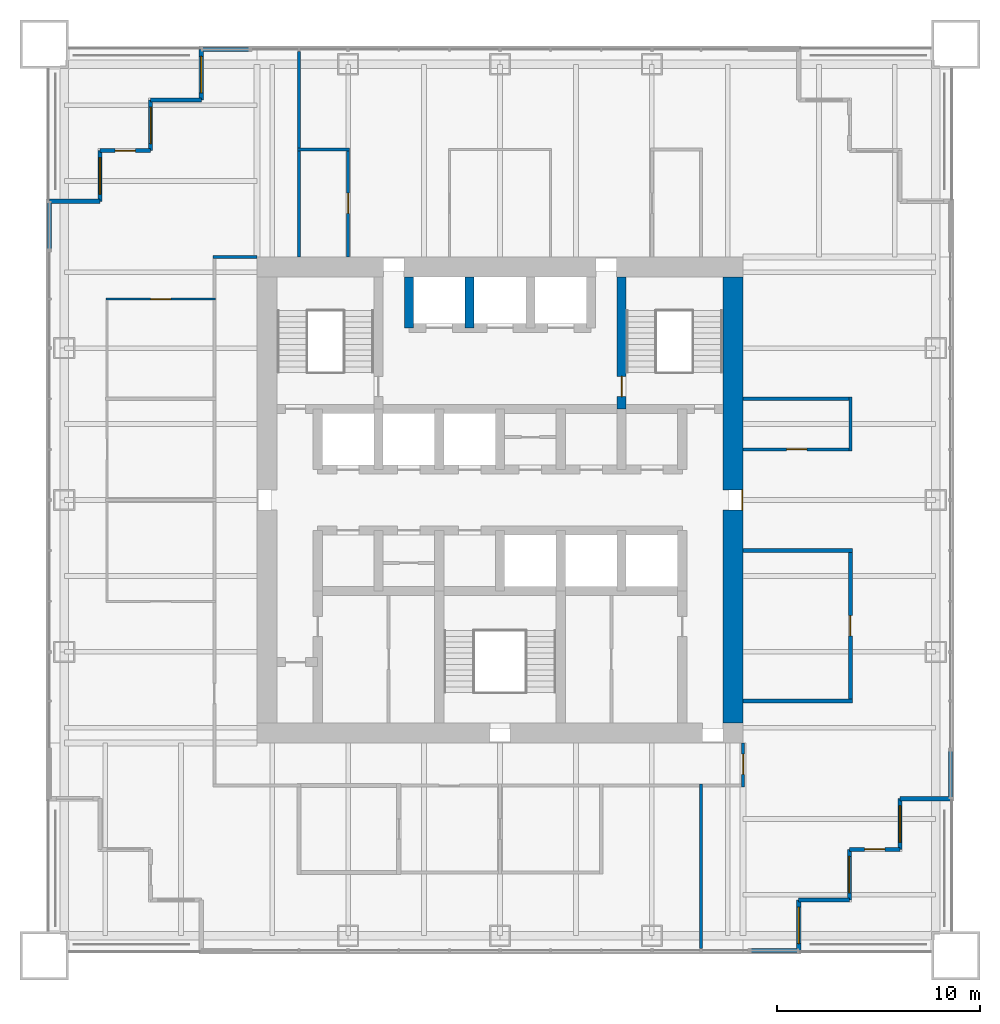
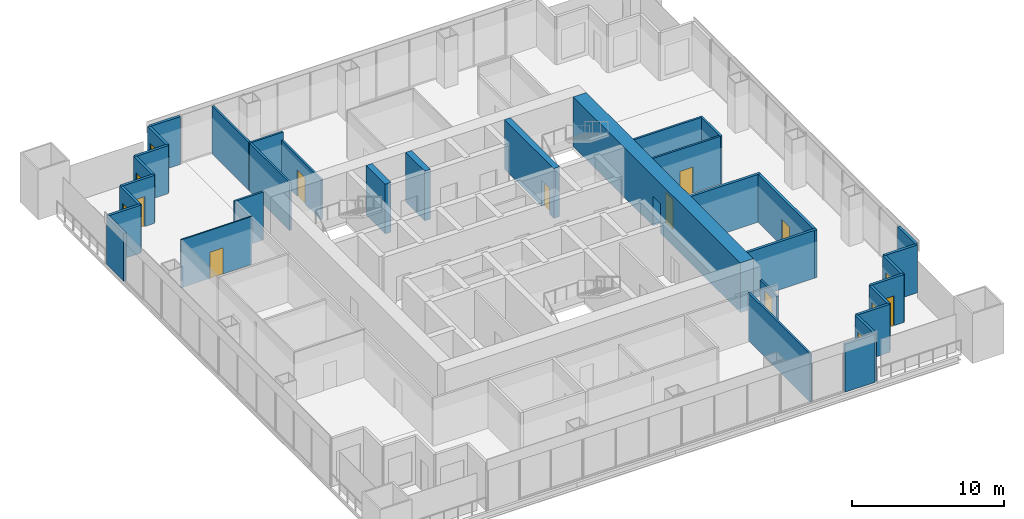
# One storey, part 10 of 13: 33 walls, 9 doors, 6 windows, 15 openings.
"""IFC4 building model written with IfcOpenShell, lengths in metres."""

from ifc_helpers import new_model, si_unit, direction, frame, frame_2d, origin, place, context, subcontext, project, spatial, rectangle, extrude, material, layer, layer_set, type_object, element, fill, save


model = new_model("IFC4")

# Units and contexts
model_context = context("Model", 3, precision=1e-05, world=origin(), true_north=direction((0.0, 1.0)))
body_context = subcontext(model_context, "Body", "Model", "MODEL_VIEW")
ifc_project = project(units=[si_unit("LENGTHUNIT", "METRE"), si_unit("AREAUNIT", "SQUARE_METRE"), si_unit("VOLUMEUNIT", "CUBIC_METRE"), si_unit("PLANEANGLEUNIT", "RADIAN"), si_unit("MASSUNIT", "GRAM", prefix="KILO")], contexts=[model_context])

# Site, building, storey
site_placement = place(None, origin())
site = spatial("IfcSite", under=ifc_project, at=site_placement, CompositionType="ELEMENT")
building_placement = place(site_placement, origin())
building = spatial("IfcBuilding", under=site, at=building_placement, Name="Tarangal Relay Tower", CompositionType="ELEMENT")
storey_placement = place(building_placement, frame((0.0, 0.0, 245.89990234375)))
storey = spatial("IfcBuildingStorey", under=building, at=storey_placement, Name="L53", CompositionType="ELEMENT", Elevation=245.89990234375)

# Walls
ifc_material_1 = material(Name="Two layers gypsum board each side on twin steel studs, mineral wool", Category="steel")
ifc_layer_1 = layer(ifc_material_1, 0.199951171875)
ifc_layer_set_1 = layer_set([ifc_layer_1], Name="Acoustic partition 200")
wall_type_1 = type_object("IfcWallType", Name="Acoustic partition 200", PredefinedType="PARTITIONING", material=ifc_layer_set_1)
for number, where, z_axis, x_axis, name in (
    (1, (12.0, -9.9169921875, 0.0), (0.0, 0.0, 1.0), (1.0, 0.0, 0.0), "Partition PT2 L53"),
    (2, (12.0, -2.5, 0.0), (0.0, 0.0, 1.0), (1.0, 0.0, 0.0), "Partition PT2 L53"),
):
    element("IfcWall", number, at=place(storey_placement, frame(where, z_axis=z_axis, x_axis=x_axis)), inside=storey, type_object=wall_type_1, Name=name, PredefinedType="PARTITIONING", context=body_context, shape_type="SweptSolid", body=[
        extrude(rectangle(XDim=5.39990234375, YDim=0.199951171875, at=frame_2d((2.699951171875, 0.0))), origin(), (0.0, 0.0, 1.0), 3.85009765625),
    ])

# Wall, opening, door
wall_1_placement = place(storey_placement, frame((17.300048828125, -10.01708984375, 0.0), z_axis=(0.0, 0.0, 1.0), x_axis=(0.0, 1.0, 0.0)))
wall_1 = element("IfcWall", 3, at=wall_1_placement, inside=storey, type_object=wall_type_1, Name="Partition PT2 L53", PredefinedType="PARTITIONING", context=body_context, shape_type="SweptSolid", body=[
    extrude(rectangle(XDim=7.6171875, YDim=0.199951171875, at=frame_2d((3.80859375, 0.0))), origin(), (0.0, 0.0, 1.0), 3.85009765625),
])
opening_1_placement = place(wall_1_placement, frame((3.30859375, 0.0, 0.0)))
opening_1 = element("IfcOpeningElement", 4, at=opening_1_placement, cuts=wall_1, Name="Opening D2", PredefinedType="OPENING", context=body_context, shape_type="SweptSolid", body=[
    extrude(rectangle(XDim=1.0, YDim=2.10009765625, at=frame_2d((0.5, 1.050048828125))), frame((0.0, 0.10986328125, 0.0), z_axis=(0.0, -1.0, 0.0), x_axis=(1.0, 0.0, 0.0)), (0.0, 0.0, 1.0), 0.219970703125),
])
ifc_material_2 = material(Name="Hardwood door", Category="wood")
door_type_1 = type_object("IfcDoorType", Name="Door 1000 x 2100", OperationType="SINGLE_SWING_LEFT", PredefinedType="DOOR", material=ifc_material_2)
door_1_placement = place(opening_1_placement, origin())
door_1 = element("IfcDoor", 5, at=door_1_placement, inside=storey, type_object=door_type_1, Name="Door D2 to boardroom L53-06", OperationType="SINGLE_SWING_LEFT", OverallHeight=2.10009765625, OverallWidth=1.0, PredefinedType="DOOR", context=body_context, shape_type="SweptSolid", body=[
    extrude(rectangle(XDim=1.0, YDim=2.10009765625, at=frame_2d((0.5, 1.050048828125))), frame((0.0, 0.02490234375, 0.0), z_axis=(0.0, -1.0, 0.0), x_axis=(1.0, 0.0, 0.0)), (0.0, 0.0, 1.0), 0.050048828125),
])
fill(opening_1, door_1)

ifc_material_3 = material(Name="Concrete fc' 60 MPa", Category="concrete")
ifc_layer_2 = layer(ifc_material_3, 0.449951171875)
ifc_layer_set_2 = layer_set([ifc_layer_2], Name="Core inner wall 450")
wall_type_2 = type_object("IfcWallType", Name="Core inner wall 450", PredefinedType="SHEAR", material=ifc_layer_set_2)
wall_2_placement = place(storey_placement, frame((6.0, 4.5, 0.0), z_axis=(0.0, 0.0, 1.0), x_axis=(0.0, 1.0, 0.0)))
wall_2 = element("IfcWall", 6, at=wall_2_placement, inside=storey, type_object=wall_type_2, Name="Core wall X6 L53", PredefinedType="SHEAR", context=body_context, shape_type="SweptSolid", body=[
    extrude(rectangle(XDim=6.5, YDim=0.449951171875, at=frame_2d((3.25, 0.0))), origin(), (0.0, 0.0, 1.0), 4.0),
])
opening_2_placement = place(wall_2_placement, frame((0.60009765625, 0.0, 0.0)))
opening_2 = element("IfcOpeningElement", 7, at=opening_2_placement, cuts=wall_2, Name="Opening FD1", PredefinedType="OPENING", context=body_context, shape_type="SweptSolid", body=[
    extrude(rectangle(XDim=1.0, YDim=2.10009765625, at=frame_2d((0.5, 1.050048828125))), frame((0.0, 0.23486328125, 0.0), z_axis=(0.0, -1.0, 0.0), x_axis=(1.0, 0.0, 0.0)), (0.0, 0.0, 1.0), 0.469970703125),
])
ifc_material_4 = material(Name="Steel door with hardwood frame", Category="steel")
door_type_2 = type_object("IfcDoorType", Name="Fire door 1000 x 2100", OperationType="SINGLE_SWING_LEFT", PredefinedType="DOOR", material=ifc_material_4)
door_2_placement = place(opening_2_placement, origin())
door_2 = element("IfcDoor", 8, at=door_2_placement, inside=storey, type_object=door_type_2, Name="Stair ST-B door from fire-fighting lobby L53", OperationType="SINGLE_SWING_LEFT", OverallHeight=2.10009765625, OverallWidth=1.0, PredefinedType="DOOR", context=body_context, shape_type="SweptSolid", body=[
    extrude(rectangle(XDim=1.0, YDim=2.10009765625, at=frame_2d((0.5, 1.050048828125))), frame((0.0, 0.02490234375, 0.0), z_axis=(0.0, -1.0, 0.0), x_axis=(1.0, 0.0, 0.0)), (0.0, 0.0, 1.0), 0.050048828125),
])
fill(opening_2, door_2)

# Walls
for number, where, z_axis, x_axis, name in (
    (9, (-4.5, 8.5, 0.0), (0.0, 0.0, 1.0), (0.0, 1.0, 0.0), "Core wall XM45 L53"),
    (10, (-1.5, 8.5, 0.0), (0.0, 0.0, 1.0), (0.0, 1.0, 0.0), "Core wall XM15 L53"),
):
    element("IfcWall", number, at=place(storey_placement, frame(where, z_axis=z_axis, x_axis=x_axis)), inside=storey, type_object=wall_type_2, Name=name, PredefinedType="SHEAR", context=body_context, shape_type="SweptSolid", body=[
        extrude(rectangle(XDim=2.5, YDim=0.449951171875, at=frame_2d((1.25, 0.0))), origin(), (0.0, 0.0, 1.0), 4.0),
    ])

# Wall, opening, door
ifc_layer_3 = layer(ifc_material_3, 1.0)
ifc_layer_set_3 = layer_set([ifc_layer_3], Name="Core wall 1000")
wall_type_3 = type_object("IfcWallType", Name="Core wall 1000", PredefinedType="SHEAR", material=ifc_layer_set_3)
wall_3_placement = place(storey_placement, frame((11.5, 11.0, 0.0), z_axis=(0.0, 0.0, 1.0), x_axis=(0.0, -1.0, 0.0)))
wall_3 = element("IfcWall", 11, at=wall_3_placement, inside=storey, type_object=wall_type_3, Name="Core wall E L53", PredefinedType="SHEAR", context=body_context, shape_type="SweptSolid", body=[
    extrude(rectangle(XDim=22.0, YDim=1.0, at=frame_2d((11.0, 0.0))), origin(), (0.0, 0.0, 1.0), 4.0),
])
opening_3_placement = place(wall_3_placement, frame((10.5, 0.0, 0.0)))
opening_3 = element("IfcOpeningElement", 12, at=opening_3_placement, cuts=wall_3, Name="Opening FD3", PredefinedType="OPENING", context=body_context, shape_type="SweptSolid", body=[
    extrude(rectangle(XDim=1.0, YDim=2.39990234375, at=frame_2d((0.5, 1.199951171875))), frame((0.0, 0.510009765625, 0.0), z_axis=(0.0, -1.0, 0.0), x_axis=(1.0, 0.0, 0.0)), (0.0, 0.0, 1.0), 1.02001953125),
])
door_type_3 = type_object("IfcDoorType", Name="Fire door 1000 x 2400 core entry", OperationType="SINGLE_SWING_RIGHT", PredefinedType="DOOR", material=ifc_material_4)
door_3_placement = place(opening_3_placement, origin())
door_3 = element("IfcDoor", 13, at=door_3_placement, inside=storey, type_object=door_type_3, Name="Core entry door east L53", OperationType="SINGLE_SWING_RIGHT", OverallHeight=2.39990234375, OverallWidth=1.0, PredefinedType="DOOR", context=body_context, shape_type="SweptSolid", body=[
    extrude(rectangle(XDim=1.0, YDim=2.39990234375, at=frame_2d((0.5, 1.199951171875))), frame((0.0, 0.48486328125, 0.0), z_axis=(0.0, -1.0, 0.0), x_axis=(1.0, 0.0, 0.0)), (0.0, 0.0, 1.0), 0.050048828125),
])
fill(opening_3, door_3)

# Wall
ifc_material_5 = material(Name="Black metal clad insulated wall", Category="steel")
ifc_layer_4 = layer(ifc_material_5, 0.199951171875)
ifc_layer_set_4 = layer_set([ifc_layer_4], Name="Corner wall metal clad 200")
wall_type_4 = type_object("IfcWallType", Name="Corner wall metal clad 200", PredefinedType="SOLIDWALL", material=ifc_layer_set_4)
wall_4_placement = place(storey_placement, frame((22.25, -14.75, 0.0), z_axis=(0.0, 0.0, 1.0), x_axis=(-1.0, 0.0, 0.0)))
element("IfcWall", 14, at=wall_4_placement, inside=storey, type_object=wall_type_4, Name="Facade wall E facade L53", PredefinedType="SOLIDWALL", context=body_context, shape_type="SweptSolid", body=[
    extrude(rectangle(XDim=2.5, YDim=0.199951171875, at=frame_2d((1.25, 0.0))), origin(), (0.0, 0.0, 1.0), 3.85009765625),
])

# Wall, opening, window
wall_5_placement = place(storey_placement, frame((19.75, -14.75, 0.0), z_axis=(0.0, 0.0, 1.0), x_axis=(0.0, -1.0, 0.0)))
wall_5 = element("IfcWall", 15, at=wall_5_placement, inside=storey, type_object=wall_type_4, Name="Facade wall E facade L53", PredefinedType="SOLIDWALL", context=body_context, shape_type="SweptSolid", body=[
    extrude(rectangle(XDim=2.5, YDim=0.199951171875, at=frame_2d((1.25, 0.0))), origin(), (0.0, 0.0, 1.0), 3.85009765625),
])
opening_4_placement = place(wall_5_placement, frame((0.35009765625, 0.0, 0.300048828125)))
opening_4 = element("IfcOpeningElement", 16, at=opening_4_placement, cuts=wall_5, Name="Opening WN2", PredefinedType="OPENING", context=body_context, shape_type="SweptSolid", body=[
    extrude(rectangle(XDim=1.800048828125, YDim=2.39990234375, at=frame_2d((0.89990234375, 1.199951171875))), frame((0.0, 0.10986328125, 0.0), z_axis=(0.0, -1.0, 0.0), x_axis=(1.0, 0.0, 0.0)), (0.0, 0.0, 1.0), 0.219970703125),
])
ifc_material_6 = material(Name="Dark tinted double glazing in black aluminium frame", Category="aluminium")
window_type = type_object("IfcWindowType", Name="Corner window 1800 x 2400", PartitioningType="SINGLE_PANEL", PredefinedType="WINDOW", material=ifc_material_6)
window_1_placement = place(opening_4_placement, origin())
window_1 = element("IfcWindow", 17, at=window_1_placement, inside=storey, type_object=window_type, Name="Corner window WN2 E facade L53", OverallHeight=2.39990234375, OverallWidth=1.800048828125, PartitioningType="SINGLE_PANEL", PredefinedType="WINDOW", context=body_context, shape_type="SweptSolid", body=[
    extrude(rectangle(XDim=1.800048828125, YDim=2.39990234375, at=frame_2d((0.89990234375, 1.199951171875))), frame((0.0, 0.030029296875, 0.0), z_axis=(0.0, -1.0, 0.0), x_axis=(1.0, 0.0, 0.0)), (0.0, 0.0, 1.0), 0.06005859375),
])
fill(opening_4, window_1)

# Wall, opening, door
wall_6_placement = place(storey_placement, frame((19.75, -17.25, 0.0), z_axis=(0.0, 0.0, 1.0), x_axis=(-1.0, 0.0, 0.0)))
wall_6 = element("IfcWall", 18, at=wall_6_placement, inside=storey, type_object=wall_type_4, Name="Facade wall E facade L53", PredefinedType="SOLIDWALL", context=body_context, shape_type="SweptSolid", body=[
    extrude(rectangle(XDim=2.5, YDim=0.199951171875, at=frame_2d((1.25, 0.0))), origin(), (0.0, 0.0, 1.0), 3.85009765625),
])
opening_5_placement = place(wall_6_placement, frame((0.75, 0.0, 0.0)))
opening_5 = element("IfcOpeningElement", 19, at=opening_5_placement, cuts=wall_6, Name="Opening TD1", PredefinedType="OPENING", context=body_context, shape_type="SweptSolid", body=[
    extrude(rectangle(XDim=1.0, YDim=2.39990234375, at=frame_2d((0.5, 1.199951171875))), frame((0.0, 0.10986328125, 0.0), z_axis=(0.0, -1.0, 0.0), x_axis=(1.0, 0.0, 0.0)), (0.0, 0.0, 1.0), 0.219970703125),
])
ifc_material_7 = material(Name="Aluminium glazed door", Category="aluminium")
door_type_4 = type_object("IfcDoorType", Name="Terrace door 1000 x 2400", OperationType="SINGLE_SWING_RIGHT", PredefinedType="DOOR", material=ifc_material_7)
door_4_placement = place(opening_5_placement, origin())
door_4 = element("IfcDoor", 20, at=door_4_placement, inside=storey, type_object=door_type_4, Name="Terrace door TD1 SE L53", OperationType="SINGLE_SWING_RIGHT", OverallHeight=2.39990234375, OverallWidth=1.0, PredefinedType="DOOR", context=body_context, shape_type="SweptSolid", body=[
    extrude(rectangle(XDim=1.0, YDim=2.39990234375, at=frame_2d((0.5, 1.199951171875))), frame((0.0, 0.02490234375, 0.0), z_axis=(0.0, -1.0, 0.0), x_axis=(1.0, 0.0, 0.0)), (0.0, 0.0, 1.0), 0.050048828125),
])
fill(opening_5, door_4)

# Wall, opening, window
wall_7_placement = place(storey_placement, frame((17.25, -17.25, 0.0), z_axis=(0.0, 0.0, 1.0), x_axis=(0.0, -1.0, 0.0)))
wall_7 = element("IfcWall", 21, at=wall_7_placement, inside=storey, type_object=wall_type_4, Name="Facade wall E facade L53", PredefinedType="SOLIDWALL", context=body_context, shape_type="SweptSolid", body=[
    extrude(rectangle(XDim=2.5, YDim=0.199951171875, at=frame_2d((1.25, 0.0))), origin(), (0.0, 0.0, 1.0), 3.85009765625),
])
opening_6_placement = place(wall_7_placement, frame((0.35009765625, 0.0, 0.300048828125)))
opening_6 = element("IfcOpeningElement", 22, at=opening_6_placement, cuts=wall_7, Name="Opening WN2", PredefinedType="OPENING", context=body_context, shape_type="SweptSolid", body=[
    extrude(rectangle(XDim=1.800048828125, YDim=2.39990234375, at=frame_2d((0.89990234375, 1.199951171875))), frame((0.0, 0.10986328125, 0.0), z_axis=(0.0, -1.0, 0.0), x_axis=(1.0, 0.0, 0.0)), (0.0, 0.0, 1.0), 0.219970703125),
])
window_2_placement = place(opening_6_placement, origin())
window_2 = element("IfcWindow", 23, at=window_2_placement, inside=storey, type_object=window_type, Name="Corner window WN2 E facade L53", OverallHeight=2.39990234375, OverallWidth=1.800048828125, PartitioningType="SINGLE_PANEL", PredefinedType="WINDOW", context=body_context, shape_type="SweptSolid", body=[
    extrude(rectangle(XDim=1.800048828125, YDim=2.39990234375, at=frame_2d((0.89990234375, 1.199951171875))), frame((0.0, 0.030029296875, 0.0), z_axis=(0.0, -1.0, 0.0), x_axis=(1.0, 0.0, 0.0)), (0.0, 0.0, 1.0), 0.06005859375),
])
fill(opening_6, window_2)

# Wall
wall_8_placement = place(storey_placement, frame((17.25, -19.75, 0.0), z_axis=(0.0, 0.0, 1.0), x_axis=(-1.0, 0.0, 0.0)))
element("IfcWall", 24, at=wall_8_placement, inside=storey, type_object=wall_type_4, Name="Facade wall E facade L53", PredefinedType="SOLIDWALL", context=body_context, shape_type="SweptSolid", body=[
    extrude(rectangle(XDim=2.5, YDim=0.199951171875, at=frame_2d((1.25, 0.0))), origin(), (0.0, 0.0, 1.0), 3.85009765625),
])

# Wall, opening, window
wall_9_placement = place(storey_placement, frame((14.75, -19.75, 0.0), z_axis=(0.0, 0.0, 1.0), x_axis=(0.0, -1.0, 0.0)))
wall_9 = element("IfcWall", 25, at=wall_9_placement, inside=storey, type_object=wall_type_4, Name="Facade wall E facade L53", PredefinedType="SOLIDWALL", context=body_context, shape_type="SweptSolid", body=[
    extrude(rectangle(XDim=2.5, YDim=0.199951171875, at=frame_2d((1.25, 0.0))), origin(), (0.0, 0.0, 1.0), 3.85009765625),
])
opening_7_placement = place(wall_9_placement, frame((0.35009765625, 0.0, 0.300048828125)))
opening_7 = element("IfcOpeningElement", 26, at=opening_7_placement, cuts=wall_9, Name="Opening WN2", PredefinedType="OPENING", context=body_context, shape_type="SweptSolid", body=[
    extrude(rectangle(XDim=1.800048828125, YDim=2.39990234375, at=frame_2d((0.89990234375, 1.199951171875))), frame((0.0, 0.10986328125, 0.0), z_axis=(0.0, -1.0, 0.0), x_axis=(1.0, 0.0, 0.0)), (0.0, 0.0, 1.0), 0.219970703125),
])
window_3_placement = place(opening_7_placement, origin())
window_3 = element("IfcWindow", 27, at=window_3_placement, inside=storey, type_object=window_type, Name="Corner window WN2 E facade L53", OverallHeight=2.39990234375, OverallWidth=1.800048828125, PartitioningType="SINGLE_PANEL", PredefinedType="WINDOW", context=body_context, shape_type="SweptSolid", body=[
    extrude(rectangle(XDim=1.800048828125, YDim=2.39990234375, at=frame_2d((0.89990234375, 1.199951171875))), frame((0.0, 0.030029296875, 0.0), z_axis=(0.0, -1.0, 0.0), x_axis=(1.0, 0.0, 0.0)), (0.0, 0.0, 1.0), 0.06005859375),
])
fill(opening_7, window_3)

# Wall
wall_10_placement = place(storey_placement, frame((-22.25, 14.75, 0.0), z_axis=(0.0, 0.0, 1.0), x_axis=(1.0, 0.0, 0.0)))
element("IfcWall", 28, at=wall_10_placement, inside=storey, type_object=wall_type_4, Name="Facade wall W facade L53", PredefinedType="SOLIDWALL", context=body_context, shape_type="SweptSolid", body=[
    extrude(rectangle(XDim=2.5, YDim=0.199951171875, at=frame_2d((1.25, 0.0))), origin(), (0.0, 0.0, 1.0), 3.85009765625),
])

# Wall, opening, window
wall_11_placement = place(storey_placement, frame((-19.75, 14.75, 0.0), z_axis=(0.0, 0.0, 1.0), x_axis=(0.0, 1.0, 0.0)))
wall_11 = element("IfcWall", 29, at=wall_11_placement, inside=storey, type_object=wall_type_4, Name="Facade wall W facade L53", PredefinedType="SOLIDWALL", context=body_context, shape_type="SweptSolid", body=[
    extrude(rectangle(XDim=2.5, YDim=0.199951171875, at=frame_2d((1.25, 0.0))), origin(), (0.0, 0.0, 1.0), 3.85009765625),
])
opening_8_placement = place(wall_11_placement, frame((0.35009765625, 0.0, 0.300048828125)))
opening_8 = element("IfcOpeningElement", 30, at=opening_8_placement, cuts=wall_11, Name="Opening WN2", PredefinedType="OPENING", context=body_context, shape_type="SweptSolid", body=[
    extrude(rectangle(XDim=1.800048828125, YDim=2.39990234375, at=frame_2d((0.89990234375, 1.199951171875))), frame((0.0, 0.10986328125, 0.0), z_axis=(0.0, -1.0, 0.0), x_axis=(1.0, 0.0, 0.0)), (0.0, 0.0, 1.0), 0.219970703125),
])
window_4_placement = place(opening_8_placement, origin())
window_4 = element("IfcWindow", 31, at=window_4_placement, inside=storey, type_object=window_type, Name="Corner window WN2 W facade L53", OverallHeight=2.39990234375, OverallWidth=1.800048828125, PartitioningType="SINGLE_PANEL", PredefinedType="WINDOW", context=body_context, shape_type="SweptSolid", body=[
    extrude(rectangle(XDim=1.800048828125, YDim=2.39990234375, at=frame_2d((0.89990234375, 1.199951171875))), frame((0.0, 0.030029296875, 0.0), z_axis=(0.0, -1.0, 0.0), x_axis=(1.0, 0.0, 0.0)), (0.0, 0.0, 1.0), 0.06005859375),
])
fill(opening_8, window_4)

# Wall, opening, door
wall_12_placement = place(storey_placement, frame((-19.75, 17.25, 0.0), z_axis=(0.0, 0.0, 1.0), x_axis=(1.0, 0.0, 0.0)))
wall_12 = element("IfcWall", 32, at=wall_12_placement, inside=storey, type_object=wall_type_4, Name="Facade wall W facade L53", PredefinedType="SOLIDWALL", context=body_context, shape_type="SweptSolid", body=[
    extrude(rectangle(XDim=2.5, YDim=0.199951171875, at=frame_2d((1.25, 0.0))), origin(), (0.0, 0.0, 1.0), 3.85009765625),
])
opening_9_placement = place(wall_12_placement, frame((0.75, 0.0, 0.0)))
opening_9 = element("IfcOpeningElement", 33, at=opening_9_placement, cuts=wall_12, Name="Opening TD1", PredefinedType="OPENING", context=body_context, shape_type="SweptSolid", body=[
    extrude(rectangle(XDim=1.0, YDim=2.39990234375, at=frame_2d((0.5, 1.199951171875))), frame((0.0, 0.10986328125, 0.0), z_axis=(0.0, -1.0, 0.0), x_axis=(1.0, 0.0, 0.0)), (0.0, 0.0, 1.0), 0.219970703125),
])
door_5_placement = place(opening_9_placement, origin())
door_5 = element("IfcDoor", 34, at=door_5_placement, inside=storey, type_object=door_type_4, Name="Terrace door TD1 NW L53", OperationType="SINGLE_SWING_RIGHT", OverallHeight=2.39990234375, OverallWidth=1.0, PredefinedType="DOOR", context=body_context, shape_type="SweptSolid", body=[
    extrude(rectangle(XDim=1.0, YDim=2.39990234375, at=frame_2d((0.5, 1.199951171875))), frame((0.0, 0.02490234375, 0.0), z_axis=(0.0, -1.0, 0.0), x_axis=(1.0, 0.0, 0.0)), (0.0, 0.0, 1.0), 0.050048828125),
])
fill(opening_9, door_5)

# Wall, opening, window
wall_13_placement = place(storey_placement, frame((-17.25, 17.25, 0.0), z_axis=(0.0, 0.0, 1.0), x_axis=(0.0, 1.0, 0.0)))
wall_13 = element("IfcWall", 35, at=wall_13_placement, inside=storey, type_object=wall_type_4, Name="Facade wall W facade L53", PredefinedType="SOLIDWALL", context=body_context, shape_type="SweptSolid", body=[
    extrude(rectangle(XDim=2.5, YDim=0.199951171875, at=frame_2d((1.25, 0.0))), origin(), (0.0, 0.0, 1.0), 3.85009765625),
])
opening_10_placement = place(wall_13_placement, frame((0.35009765625, 0.0, 0.300048828125)))
opening_10 = element("IfcOpeningElement", 36, at=opening_10_placement, cuts=wall_13, Name="Opening WN2", PredefinedType="OPENING", context=body_context, shape_type="SweptSolid", body=[
    extrude(rectangle(XDim=1.800048828125, YDim=2.39990234375, at=frame_2d((0.89990234375, 1.199951171875))), frame((0.0, 0.10986328125, 0.0), z_axis=(0.0, -1.0, 0.0), x_axis=(1.0, 0.0, 0.0)), (0.0, 0.0, 1.0), 0.219970703125),
])
window_5_placement = place(opening_10_placement, origin())
window_5 = element("IfcWindow", 37, at=window_5_placement, inside=storey, type_object=window_type, Name="Corner window WN2 W facade L53", OverallHeight=2.39990234375, OverallWidth=1.800048828125, PartitioningType="SINGLE_PANEL", PredefinedType="WINDOW", context=body_context, shape_type="SweptSolid", body=[
    extrude(rectangle(XDim=1.800048828125, YDim=2.39990234375, at=frame_2d((0.89990234375, 1.199951171875))), frame((0.0, 0.030029296875, 0.0), z_axis=(0.0, -1.0, 0.0), x_axis=(1.0, 0.0, 0.0)), (0.0, 0.0, 1.0), 0.06005859375),
])
fill(opening_10, window_5)

# Wall
wall_14_placement = place(storey_placement, frame((-17.25, 19.75, 0.0), z_axis=(0.0, 0.0, 1.0), x_axis=(1.0, 0.0, 0.0)))
element("IfcWall", 38, at=wall_14_placement, inside=storey, type_object=wall_type_4, Name="Facade wall W facade L53", PredefinedType="SOLIDWALL", context=body_context, shape_type="SweptSolid", body=[
    extrude(rectangle(XDim=2.5, YDim=0.199951171875, at=frame_2d((1.25, 0.0))), origin(), (0.0, 0.0, 1.0), 3.85009765625),
])

# Wall, opening, window
wall_15_placement = place(storey_placement, frame((-14.75, 19.75, 0.0), z_axis=(0.0, 0.0, 1.0), x_axis=(0.0, 1.0, 0.0)))
wall_15 = element("IfcWall", 39, at=wall_15_placement, inside=storey, type_object=wall_type_4, Name="Facade wall W facade L53", PredefinedType="SOLIDWALL", context=body_context, shape_type="SweptSolid", body=[
    extrude(rectangle(XDim=2.5, YDim=0.199951171875, at=frame_2d((1.25, 0.0))), origin(), (0.0, 0.0, 1.0), 3.85009765625),
])
opening_11_placement = place(wall_15_placement, frame((0.35009765625, 0.0, 0.300048828125)))
opening_11 = element("IfcOpeningElement", 40, at=opening_11_placement, cuts=wall_15, Name="Opening WN2", PredefinedType="OPENING", context=body_context, shape_type="SweptSolid", body=[
    extrude(rectangle(XDim=1.800048828125, YDim=2.39990234375, at=frame_2d((0.89990234375, 1.199951171875))), frame((0.0, 0.10986328125, 0.0), z_axis=(0.0, -1.0, 0.0), x_axis=(1.0, 0.0, 0.0)), (0.0, 0.0, 1.0), 0.219970703125),
])
window_6_placement = place(opening_11_placement, origin())
window_6 = element("IfcWindow", 41, at=window_6_placement, inside=storey, type_object=window_type, Name="Corner window WN2 W facade L53", OverallHeight=2.39990234375, OverallWidth=1.800048828125, PartitioningType="SINGLE_PANEL", PredefinedType="WINDOW", context=body_context, shape_type="SweptSolid", body=[
    extrude(rectangle(XDim=1.800048828125, YDim=2.39990234375, at=frame_2d((0.89990234375, 1.199951171875))), frame((0.0, 0.030029296875, 0.0), z_axis=(0.0, -1.0, 0.0), x_axis=(1.0, 0.0, 0.0)), (0.0, 0.0, 1.0), 0.06005859375),
])
fill(opening_11, window_6)

# Walls
ifc_layer_5 = layer(ifc_material_5, 0.199951171875)
ifc_layer_set_5 = layer_set([ifc_layer_5], Name="Facade infill wall metal clad 200")
wall_type_5 = type_object("IfcWallType", Name="Facade infill wall metal clad 200", PredefinedType="SOLIDWALL", material=ifc_layer_set_5)
for number, where, z_axis, x_axis, name in (
    (42, (-14.68505859375, 22.25, 0.0), (0.0, 0.0, 1.0), (1.0, 0.0, 0.0), "Facade infill wall N facade L53 1.1"),
    (43, (22.25, -12.398193359375, 0.0), (0.0, 0.0, 1.0), (0.0, -1.0, 0.0), "Facade infill wall E facade L53 1.1"),
    (44, (14.68505859375, -22.25, 0.0), (0.0, 0.0, 1.0), (-1.0, 0.0, 0.0), "Facade infill wall S facade L53 1.1"),
    (45, (-22.25, 12.398193359375, 0.0), (0.0, 0.0, 1.0), (0.0, 1.0, 0.0), "Facade infill wall W facade L53 1.1"),
):
    element("IfcWall", number, at=place(storey_placement, frame(where, z_axis=z_axis, x_axis=x_axis)), inside=storey, type_object=wall_type_5, Name=name, PredefinedType="SOLIDWALL", context=body_context, shape_type="SweptSolid", body=[
        extrude(rectangle(XDim=2.286865234375, YDim=0.199951171875, at=frame_2d((1.1435546875, 0.0))), origin(), (0.0, 0.0, 1.0), 3.85009765625),
    ])

# Wall, opening, door
ifc_material_8 = material(Name="Double glazed aluminium framed partition", Category="aluminium")
ifc_layer_6 = layer(ifc_material_8, 0.10009765625)
ifc_layer_set_6 = layer_set([ifc_layer_6], Name="Glazed partition 100")
wall_type_6 = type_object("IfcWallType", Name="Glazed partition 100", PredefinedType="PARTITIONING", material=ifc_layer_set_6)
wall_16_placement = place(storey_placement, frame((-19.449951171875, 9.9169921875, 0.0), z_axis=(0.0, 0.0, 1.0), x_axis=(1.0, 0.0, 0.0)))
wall_16 = element("IfcWall", 46, at=wall_16_placement, inside=storey, type_object=wall_type_6, Name="Partition PT3 L53", PredefinedType="PARTITIONING", context=body_context, shape_type="SweptSolid", body=[
    extrude(rectangle(XDim=5.39990234375, YDim=0.10009765625, at=frame_2d((2.699951171875, 0.0))), origin(), (0.0, 0.0, 1.0), 3.85009765625),
])
opening_12_placement = place(wall_16_placement, frame((2.199951171875, 0.0, 0.0)))
opening_12 = element("IfcOpeningElement", 47, at=opening_12_placement, cuts=wall_16, Name="Opening D3", PredefinedType="OPENING", context=body_context, shape_type="SweptSolid", body=[
    extrude(rectangle(XDim=1.0, YDim=2.10009765625, at=frame_2d((0.5, 1.050048828125))), frame((0.0, 0.06005859375, 0.0), z_axis=(0.0, -1.0, 0.0), x_axis=(1.0, 0.0, 0.0)), (0.0, 0.0, 1.0), 0.1201171875),
])
ifc_material_9 = material(Name="Frameless glass door", Category="glass")
door_type_5 = type_object("IfcDoorType", Name="Glazed door 1000 x 2100", OperationType="SINGLE_SWING_LEFT", PredefinedType="DOOR", material=ifc_material_9)
door_6_placement = place(opening_12_placement, origin())
door_6 = element("IfcDoor", 48, at=door_6_placement, inside=storey, type_object=door_type_5, Name="Door D3 to meeting room L53-12", OperationType="SINGLE_SWING_LEFT", OverallHeight=2.10009765625, OverallWidth=1.0, PredefinedType="DOOR", context=body_context, shape_type="SweptSolid", body=[
    extrude(rectangle(XDim=1.0, YDim=2.10009765625, at=frame_2d((0.5, 1.050048828125))), frame((0.0, 0.02490234375, 0.0), z_axis=(0.0, -1.0, 0.0), x_axis=(1.0, 0.0, 0.0)), (0.0, 0.0, 1.0), 0.050048828125),
])
fill(opening_12, door_6)

ifc_material_10 = material(Name="Gypsum board on steel studs", Category="steel")
ifc_layer_7 = layer(ifc_material_10, 0.14990234375)
ifc_layer_set_7 = layer_set([ifc_layer_7], Name="Partition 150")
wall_type_7 = type_object("IfcWallType", Name="Partition 150", PredefinedType="PARTITIONING", material=ifc_layer_set_7)
wall_17_placement = place(storey_placement, frame((12.0, 2.5, 0.0), z_axis=(0.0, 0.0, 1.0), x_axis=(1.0, 0.0, 0.0)))
wall_17 = element("IfcWall", 49, at=wall_17_placement, inside=storey, type_object=wall_type_7, Name="Partition PT1 L53", PredefinedType="PARTITIONING", context=body_context, shape_type="SweptSolid", body=[
    extrude(rectangle(XDim=5.375, YDim=0.14990234375, at=frame_2d((2.6875, 0.0))), origin(), (0.0, 0.0, 1.0), 3.85009765625),
])
opening_13_placement = place(wall_17_placement, frame((2.14990234375, 0.0, 0.0)))
opening_13 = element("IfcOpeningElement", 50, at=opening_13_placement, cuts=wall_17, Name="Opening D2", PredefinedType="OPENING", context=body_context, shape_type="SweptSolid", body=[
    extrude(rectangle(XDim=1.0, YDim=2.10009765625, at=frame_2d((0.5, 1.050048828125))), frame((0.0, 0.0849609375, 0.0), z_axis=(0.0, -1.0, 0.0), x_axis=(1.0, 0.0, 0.0)), (0.0, 0.0, 1.0), 0.169921875),
])
door_7_placement = place(opening_13_placement, origin())
door_7 = element("IfcDoor", 51, at=door_7_placement, inside=storey, type_object=door_type_1, Name="Door D2 to tea pantry L53-05", OperationType="SINGLE_SWING_LEFT", OverallHeight=2.10009765625, OverallWidth=1.0, PredefinedType="DOOR", context=body_context, shape_type="SweptSolid", body=[
    extrude(rectangle(XDim=1.0, YDim=2.10009765625, at=frame_2d((0.5, 1.050048828125))), frame((0.0, 0.02490234375, 0.0), z_axis=(0.0, -1.0, 0.0), x_axis=(1.0, 0.0, 0.0)), (0.0, 0.0, 1.0), 0.050048828125),
])
fill(opening_13, door_7)

# Walls
wall_18_placement = place(storey_placement, frame((12.0, 5.0, 0.0), z_axis=(0.0, 0.0, 1.0), x_axis=(1.0, 0.0, 0.0)))
element("IfcWall", 52, at=wall_18_placement, inside=storey, type_object=wall_type_7, Name="Partition PT1 L53", PredefinedType="PARTITIONING", context=body_context, shape_type="SweptSolid", body=[
    extrude(rectangle(XDim=5.375, YDim=0.14990234375, at=frame_2d((2.6875, 0.0))), origin(), (0.0, 0.0, 1.0), 3.85009765625),
])
wall_19_placement = place(storey_placement, frame((-14.175048828125, 12.0, 0.0), z_axis=(0.0, 0.0, 1.0), x_axis=(1.0, 0.0, 0.0)))
element("IfcWall", 53, at=wall_19_placement, inside=storey, type_object=wall_type_7, Name="Partition PT1 L53", PredefinedType="PARTITIONING", context=body_context, shape_type="SweptSolid", body=[
    extrude(rectangle(XDim=2.175048828125, YDim=0.14990234375, at=frame_2d((1.08740234375, 0.0))), origin(), (0.0, 0.0, 1.0), 3.85009765625),
])
wall_20_placement = place(storey_placement, frame((-9.991943359375, 17.300048828125, 0.0), z_axis=(0.0, 0.0, 1.0), x_axis=(1.0, 0.0, 0.0)))
element("IfcWall", 54, at=wall_20_placement, inside=storey, type_object=wall_type_7, Name="Partition PT1 L53", PredefinedType="PARTITIONING", context=body_context, shape_type="SweptSolid", body=[
    extrude(rectangle(XDim=2.56689453125, YDim=0.14990234375, at=frame_2d((1.283447265625, 0.0))), origin(), (0.0, 0.0, 1.0), 3.85009765625),
])
wall_21_placement = place(storey_placement, frame((-9.9169921875, 12.0, 0.0), z_axis=(0.0, 0.0, 1.0), x_axis=(0.0, 1.0, 0.0)))
element("IfcWall", 55, at=wall_21_placement, inside=storey, type_object=wall_type_7, Name="Partition PT1 L53", PredefinedType="PARTITIONING", context=body_context, shape_type="SweptSolid", body=[
    extrude(rectangle(XDim=10.14990234375, YDim=0.14990234375, at=frame_2d((5.074951171875, 0.0))), origin(), (0.0, 0.0, 1.0), 3.85009765625),
])

# Wall, opening, door
wall_22_placement = place(storey_placement, frame((-7.5, 12.0, 0.0), z_axis=(0.0, 0.0, 1.0), x_axis=(0.0, 1.0, 0.0)))
wall_22 = element("IfcWall", 56, at=wall_22_placement, inside=storey, type_object=wall_type_7, Name="Partition PT1 L53", PredefinedType="PARTITIONING", context=body_context, shape_type="SweptSolid", body=[
    extrude(rectangle(XDim=5.375, YDim=0.14990234375, at=frame_2d((2.6875, 0.0))), origin(), (0.0, 0.0, 1.0), 3.238037109375),
])
opening_14_placement = place(wall_22_placement, frame((2.14990234375, 0.0, 0.0)))
opening_14 = element("IfcOpeningElement", 57, at=opening_14_placement, cuts=wall_22, Name="Opening D2", PredefinedType="OPENING", context=body_context, shape_type="SweptSolid", body=[
    extrude(rectangle(XDim=1.0, YDim=2.10009765625, at=frame_2d((0.5, 1.050048828125))), frame((0.0, 0.0849609375, 0.0), z_axis=(0.0, -1.0, 0.0), x_axis=(1.0, 0.0, 0.0)), (0.0, 0.0, 1.0), 0.169921875),
])
door_8_placement = place(opening_14_placement, origin())
door_8 = element("IfcDoor", 58, at=door_8_placement, inside=storey, type_object=door_type_1, Name="Door D2 to cellular office L53-02", OperationType="SINGLE_SWING_LEFT", OverallHeight=2.10009765625, OverallWidth=1.0, PredefinedType="DOOR", context=body_context, shape_type="SweptSolid", body=[
    extrude(rectangle(XDim=1.0, YDim=2.10009765625, at=frame_2d((0.5, 1.050048828125))), frame((0.0, 0.02490234375, 0.0), z_axis=(0.0, -1.0, 0.0), x_axis=(1.0, 0.0, 0.0)), (0.0, 0.0, 1.0), 0.050048828125),
])
fill(opening_14, door_8)

# Wall
wall_23_placement = place(storey_placement, frame((9.9169921875, -22.14990234375, 0.0), z_axis=(0.0, 0.0, 1.0), x_axis=(0.0, 1.0, 0.0)))
element("IfcWall", 59, at=wall_23_placement, inside=storey, type_object=wall_type_7, Name="Partition PT1 L53", PredefinedType="PARTITIONING", context=body_context, shape_type="SweptSolid", body=[
    extrude(rectangle(XDim=8.125, YDim=0.14990234375, at=frame_2d((4.0625, 0.0))), origin(), (0.0, 0.0, 1.0), 3.85009765625),
])

# Wall, opening, door
wall_24_placement = place(storey_placement, frame((12.0, -14.175048828125, 0.0), z_axis=(0.0, 0.0, 1.0), x_axis=(0.0, 1.0, 0.0)))
wall_24 = element("IfcWall", 60, at=wall_24_placement, inside=storey, type_object=wall_type_7, Name="Partition PT1 L53", PredefinedType="PARTITIONING", context=body_context, shape_type="SweptSolid", body=[
    extrude(rectangle(XDim=2.175048828125, YDim=0.14990234375, at=frame_2d((1.08740234375, 0.0))), origin(), (0.0, 0.0, 1.0), 2.907958984375),
])
opening_15_placement = place(wall_24_placement, frame((0.625, 0.0, 0.0)))
opening_15 = element("IfcOpeningElement", 61, at=opening_15_placement, cuts=wall_24, Name="Opening SD1", PredefinedType="OPENING", context=body_context, shape_type="SweptSolid", body=[
    extrude(rectangle(XDim=1.0, YDim=2.39990234375, at=frame_2d((0.5, 1.199951171875))), frame((0.0, 0.0849609375, 0.0), z_axis=(0.0, -1.0, 0.0), x_axis=(1.0, 0.0, 0.0)), (0.0, 0.0, 1.0), 0.169921875),
])
door_type_6 = type_object("IfcDoorType", Name="Suite entrance door 1000 x 2400", OperationType="SINGLE_SWING_RIGHT", PredefinedType="DOOR", material=ifc_material_4)
door_9_placement = place(opening_15_placement, origin())
door_9 = element("IfcDoor", 62, at=door_9_placement, inside=storey, type_object=door_type_6, Name="Door SD1 to open plan office L53-13", OperationType="SINGLE_SWING_RIGHT", OverallHeight=2.39990234375, OverallWidth=1.0, PredefinedType="DOOR", context=body_context, shape_type="SweptSolid", body=[
    extrude(rectangle(XDim=1.0, YDim=2.39990234375, at=frame_2d((0.5, 1.199951171875))), frame((0.0, 0.02490234375, 0.0), z_axis=(0.0, -1.0, 0.0), x_axis=(1.0, 0.0, 0.0)), (0.0, 0.0, 1.0), 0.050048828125),
])
fill(opening_15, door_9)

# Wall
wall_25_placement = place(storey_placement, frame((17.300048828125, 2.425048828125, 0.0), z_axis=(0.0, 0.0, 1.0), x_axis=(0.0, 1.0, 0.0)))
element("IfcWall", 63, at=wall_25_placement, inside=storey, type_object=wall_type_7, Name="Partition PT1 L53", PredefinedType="PARTITIONING", context=body_context, shape_type="SweptSolid", body=[
    extrude(rectangle(XDim=2.64990234375, YDim=0.14990234375, at=frame_2d((1.324951171875, 0.0))), origin(), (0.0, 0.0, 1.0), 3.85009765625),
])

save(model, "model.ifc")
